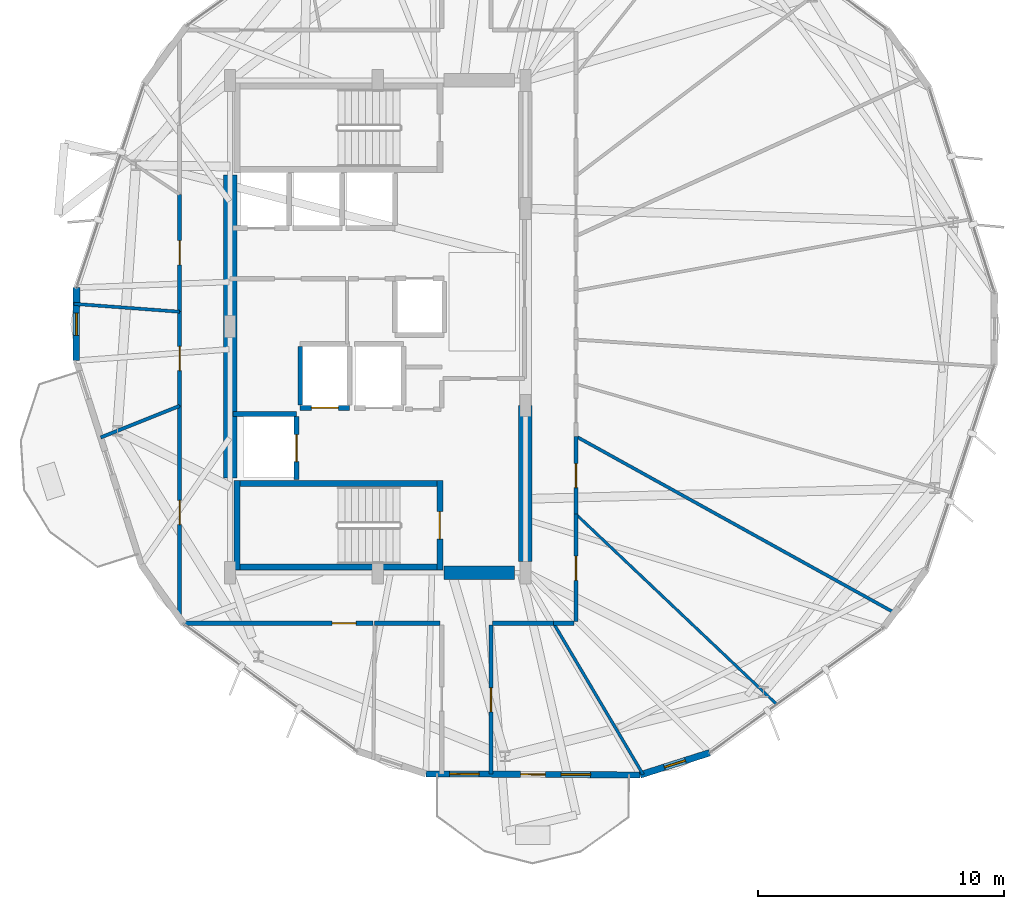
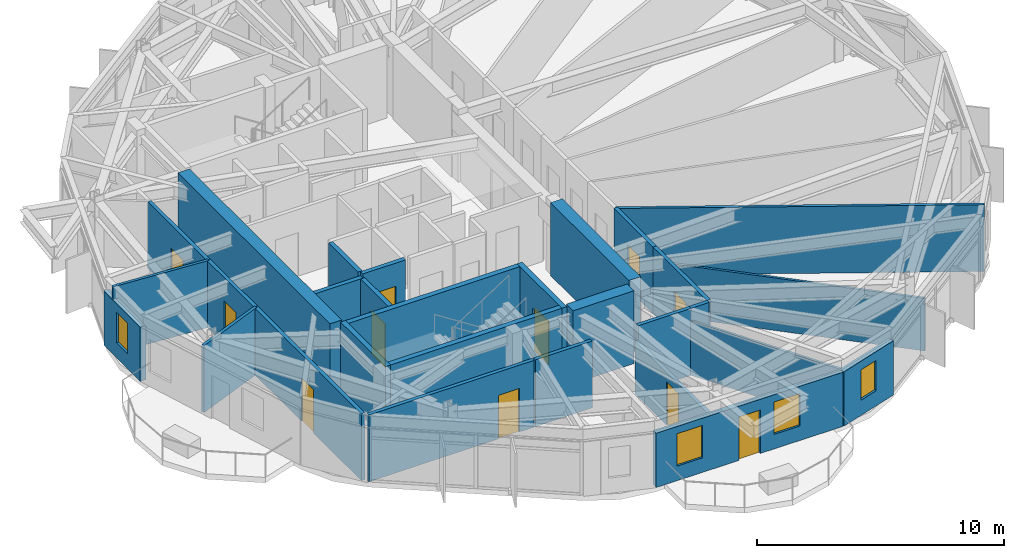
# One storey, part 17 of 24: 29 walls, 11 doors, 4 windows, 15 openings.
"""IFC4 building model written with IfcOpenShell, lengths in metres."""

from ifc_helpers import new_model, si_unit, direction, frame, frame_2d, origin, place, context, subcontext, project, spatial, rectangle, extrude, material, layer, layer_set, type_object, element, fill, save


model = new_model("IFC4")

# Units and contexts
model_context = context("Model", 3, precision=1e-05, world=origin(), true_north=direction((0.0, 1.0)))
body_context = subcontext(model_context, "Body", "Model", "MODEL_VIEW")
ifc_project = project(units=[si_unit("LENGTHUNIT", "METRE"), si_unit("AREAUNIT", "SQUARE_METRE"), si_unit("VOLUMEUNIT", "CUBIC_METRE"), si_unit("PLANEANGLEUNIT", "RADIAN"), si_unit("MASSUNIT", "GRAM", prefix="KILO")], contexts=[model_context])

# Site, building, storey
site_placement = place(None, origin())
site = spatial("IfcSite", under=ifc_project, at=site_placement, CompositionType="ELEMENT")
building_placement = place(site_placement, origin())
building = spatial("IfcBuilding", under=site, at=building_placement, Name="Soratama Intermodal Tower", CompositionType="ELEMENT")
storey_placement = place(building_placement, frame((0.0, 0.0, 164.199951171875)))
storey = spatial("IfcBuildingStorey", under=building, at=storey_placement, Name="L40", CompositionType="ELEMENT", Elevation=164.199951171875)

# Wall, openings, door, windows
ifc_material_1 = material(Name="Concrete f'c 42 MPa", Category="concrete")
ifc_layer_1 = layer(ifc_material_1, 0.25)
ifc_layer_set_1 = layer_set([ifc_layer_1], Name="Concrete f'c 42 MPa")
wall_type_1 = type_object("IfcWallType", Name="EW-BAL-250", PredefinedType="SOLIDWALL", material=ifc_layer_set_1)
wall_1_placement = place(storey_placement, frame((40.553466796875, 6.830810546875, 0.0), z_axis=(0.0, 0.0, 1.0), x_axis=(0.999986386637, -0.005217905737, 0.0)))
wall_1 = element("IfcWall", 1, at=wall_1_placement, inside=storey, type_object=wall_type_1, Name="L40 Terrace Wall F07", PredefinedType="SOLIDWALL", context=body_context, shape_type="SweptSolid", body=[
    extrude(rectangle(XDim=8.70263671875, YDim=0.25, at=frame_2d((4.351318359375, 0.0))), origin(), (0.0, 0.0, 1.0), 2.678955078125),
])
opening_1_placement = place(wall_1_placement, frame((3.851318359375, 0.0, 0.0)))
opening_1 = element("IfcOpeningElement", 2, at=opening_1_placement, cuts=wall_1, Name="Opening ED-2", PredefinedType="OPENING", context=body_context, shape_type="SweptSolid", body=[
    extrude(rectangle(XDim=1.0, YDim=2.14990234375, at=frame_2d((0.5, 1.074951171875))), frame((0.0, 0.135009765625, 0.0), z_axis=(0.0, -1.0, 0.0), x_axis=(1.0, 0.0, 0.0)), (0.0, 0.0, 1.0), 0.27001953125),
])
opening_2_placement = place(wall_1_placement, frame((0.9638671875, 0.0, 0.719970703125)))
opening_2 = element("IfcOpeningElement", 3, at=opening_2_placement, cuts=wall_1, Name="Opening WN-2", PredefinedType="OPENING", context=body_context, shape_type="SweptSolid", body=[
    extrude(rectangle(XDim=1.199951171875, YDim=1.60009765625, at=frame_2d((0.60009765625, 0.800048828125))), frame((0.0, 0.135009765625, 0.0), z_axis=(0.0, -1.0, 0.0), x_axis=(1.0, 0.0, 0.0)), (0.0, 0.0, 1.0), 0.27001953125),
])
opening_3_placement = place(wall_1_placement, frame((5.4912109375, 0.0, 0.719970703125)))
opening_3 = element("IfcOpeningElement", 4, at=opening_3_placement, cuts=wall_1, Name="Opening WN-2", PredefinedType="OPENING", context=body_context, shape_type="SweptSolid", body=[
    extrude(rectangle(XDim=1.199951171875, YDim=1.60009765625, at=frame_2d((0.60009765625, 0.800048828125))), frame((0.0, 0.135009765625, 0.0), z_axis=(0.0, -1.0, 0.0), x_axis=(1.0, 0.0, 0.0)), (0.0, 0.0, 1.0), 0.27001953125),
])
ifc_material_2 = material(Name="Double-glazed aluminium door", Category="aluminium")
door_type_1 = type_object("IfcDoorType", Name="DR-BAL-1000", OperationType="NOTDEFINED", PredefinedType="DOOR", material=ifc_material_2)
door_1_placement = place(opening_1_placement, origin())
door_1 = element("IfcDoor", 5, at=door_1_placement, inside=storey, type_object=door_type_1, Name="L40 Balcony Door F07", OperationType="SINGLE_SWING_LEFT", OverallHeight=2.14990234375, OverallWidth=1.0, PredefinedType="DOOR", context=body_context, shape_type="SweptSolid", body=[
    extrude(rectangle(XDim=1.0, YDim=2.14990234375, at=frame_2d((0.5, 1.074951171875))), frame((0.0, 0.02490234375, 0.0), z_axis=(0.0, -1.0, 0.0), x_axis=(1.0, 0.0, 0.0)), (0.0, 0.0, 1.0), 0.050048828125),
])
fill(opening_1, door_1)
ifc_material_3 = material(Name="Double-glazed aluminium window", Category="aluminium")
window_type_1 = type_object("IfcWindowType", Name="WN-FAC-1200", PartitioningType="SINGLE_PANEL", PredefinedType="WINDOW", material=ifc_material_3)
window_1_placement = place(opening_2_placement, origin())
window_1 = element("IfcWindow", 6, at=window_1_placement, inside=storey, type_object=window_type_1, Name="L40 Window A F07", OverallHeight=1.60009765625, OverallWidth=1.199951171875, PartitioningType="SINGLE_PANEL", PredefinedType="WINDOW", context=body_context, shape_type="SweptSolid", body=[
    extrude(rectangle(XDim=1.199951171875, YDim=1.60009765625, at=frame_2d((0.60009765625, 0.800048828125))), frame((0.0, 0.030029296875, 0.0), z_axis=(0.0, -1.0, 0.0), x_axis=(1.0, 0.0, 0.0)), (0.0, 0.0, 1.0), 0.06005859375),
])
fill(opening_2, window_1)
window_2_placement = place(opening_3_placement, origin())
window_2 = element("IfcWindow", 7, at=window_2_placement, inside=storey, type_object=window_type_1, Name="L40 Window B F07", OverallHeight=1.60009765625, OverallWidth=1.199951171875, PartitioningType="SINGLE_PANEL", PredefinedType="WINDOW", context=body_context, shape_type="SweptSolid", body=[
    extrude(rectangle(XDim=1.199951171875, YDim=1.60009765625, at=frame_2d((0.60009765625, 0.800048828125))), frame((0.0, 0.030029296875, 0.0), z_axis=(0.0, -1.0, 0.0), x_axis=(1.0, 0.0, 0.0)), (0.0, 0.0, 1.0), 0.06005859375),
])
fill(opening_3, window_2)

# Wall, opening, window
ifc_material_4 = material(Name="Concrete f'c 42 MPa", Category="concrete")
ifc_layer_2 = layer(ifc_material_4, 0.27001953125)
ifc_layer_set_2 = layer_set([ifc_layer_2], Name="Concrete f'c 42 MPa")
wall_type_2 = type_object("IfcWallType", Name="EW-CRN-270", PredefinedType="SOLIDWALL", material=ifc_layer_set_2)
wall_2_placement = place(storey_placement, frame((26.36181640625, 26.580810546875, 0.0), z_axis=(0.0, 0.0, 1.0), x_axis=(-0.005267416636, -0.999986127065, 0.0)))
wall_2 = element("IfcWall", 8, at=wall_2_placement, inside=storey, type_object=wall_type_2, Name="L40 Corner Closure Wall 04", PredefinedType="SOLIDWALL", context=body_context, shape_type="SweptSolid", body=[
    extrude(rectangle(XDim=2.96630859375, YDim=0.27001953125, at=frame_2d((1.483154296875, 0.0))), origin(), (0.0, 0.0, 1.0), 2.678955078125),
])
opening_4_placement = place(wall_2_placement, frame((1.033203125, 0.0, 0.75)))
opening_4 = element("IfcOpeningElement", 9, at=opening_4_placement, cuts=wall_2, Name="Opening WN-6", PredefinedType="OPENING", context=body_context, shape_type="SweptSolid", body=[
    extrude(rectangle(XDim=0.89990234375, YDim=1.5, at=frame_2d((0.449951171875, 0.75))), frame((0.0, 0.14501953125, 0.0), z_axis=(0.0, -1.0, 0.0), x_axis=(1.0, 0.0, 0.0)), (0.0, 0.0, 1.0), 0.2900390625),
])
ifc_material_5 = material(Name="Double-glazed aluminium window", Category="aluminium")
window_type_2 = type_object("IfcWindowType", Name="WN-FAC-900", PartitioningType="SINGLE_PANEL", PredefinedType="WINDOW", material=ifc_material_5)
window_3_placement = place(opening_4_placement, origin())
window_3 = element("IfcWindow", 10, at=window_3_placement, inside=storey, type_object=window_type_2, Name="L40 Corner Window 04", OverallHeight=1.5, OverallWidth=0.89990234375, PartitioningType="SINGLE_PANEL", PredefinedType="WINDOW", context=body_context, shape_type="SweptSolid", body=[
    extrude(rectangle(XDim=0.89990234375, YDim=1.5, at=frame_2d((0.449951171875, 0.75))), frame((0.0, 0.030029296875, 0.0), z_axis=(0.0, -1.0, 0.0), x_axis=(1.0, 0.0, 0.0)), (0.0, 0.0, 1.0), 0.06005859375),
])
fill(opening_4, window_3)

wall_3_placement = place(storey_placement, frame((49.256103515625, 6.785400390625, 0.0), z_axis=(0.0, 0.0, 1.0), x_axis=(0.95267036835, 0.304005212568, 0.0)))
wall_3 = element("IfcWall", 11, at=wall_3_placement, inside=storey, type_object=wall_type_2, Name="L40 Corner Closure Wall 07", PredefinedType="SOLIDWALL", context=body_context, shape_type="SweptSolid", body=[
    extrude(rectangle(XDim=2.966552734375, YDim=0.27001953125, at=frame_2d((1.4833984375, 0.0))), origin(), (0.0, 0.0, 1.0), 2.678955078125),
])
opening_5_placement = place(wall_3_placement, frame((1.033203125, 0.0, 0.75)))
opening_5 = element("IfcOpeningElement", 12, at=opening_5_placement, cuts=wall_3, Name="Opening WN-6", PredefinedType="OPENING", context=body_context, shape_type="SweptSolid", body=[
    extrude(rectangle(XDim=0.89990234375, YDim=1.5, at=frame_2d((0.449951171875, 0.75))), frame((0.0, 0.14501953125, 0.0), z_axis=(0.0, -1.0, 0.0), x_axis=(1.0, 0.0, 0.0)), (0.0, 0.0, 1.0), 0.2900390625),
])
window_4_placement = place(opening_5_placement, origin())
window_4 = element("IfcWindow", 13, at=window_4_placement, inside=storey, type_object=window_type_2, Name="L40 Corner Window 07", OverallHeight=1.5, OverallWidth=0.89990234375, PartitioningType="SINGLE_PANEL", PredefinedType="WINDOW", context=body_context, shape_type="SweptSolid", body=[
    extrude(rectangle(XDim=0.89990234375, YDim=1.5, at=frame_2d((0.449951171875, 0.75))), frame((0.0, 0.030029296875, 0.0), z_axis=(0.0, -1.0, 0.0), x_axis=(1.0, 0.0, 0.0)), (0.0, 0.0, 1.0), 0.06005859375),
])
fill(opening_5, window_4)

# Wall, opening, door
ifc_material_6 = material(Name="Fire-rated gypsum stud partition", Category="concrete")
ifc_layer_3 = layer(ifc_material_6, 0.169921875)
ifc_layer_set_3 = layer_set([ifc_layer_3], Name="Fire-rated gypsum stud partition")
wall_type_3 = type_object("IfcWallType", Name="IW-PART-R170", PredefinedType="PARTITIONING", material=ifc_layer_set_3)
wall_4_placement = place(storey_placement, frame((30.550048828125, 13.090087890625, 0.0), z_axis=(0.0, 0.0, 1.0), x_axis=(0.0, 1.0, 0.0)))
wall_4 = element("IfcWall", 14, at=wall_4_placement, inside=storey, type_object=wall_type_3, Name="L40 Partition W-L40-TP009", PredefinedType="PARTITIONING", context=body_context, shape_type="SweptSolid", body=[
    extrude(rectangle(XDim=8.68798828125, YDim=0.169921875, at=frame_2d((4.343994140625, 0.0))), origin(), (0.0, 0.0, 1.0), 3.300048828125),
])
opening_6_placement = place(wall_4_placement, frame((3.868896484375, 0.0, 0.0)))
opening_6 = element("IfcOpeningElement", 15, at=opening_6_placement, cuts=wall_4, Name="Opening ID-5", PredefinedType="OPENING", context=body_context, shape_type="SweptSolid", body=[
    extrude(rectangle(XDim=0.97998046875, YDim=2.14990234375, at=frame_2d((0.489990234375, 1.074951171875))), frame((0.0, 0.094970703125, 0.0), z_axis=(0.0, -1.0, 0.0), x_axis=(1.0, 0.0, 0.0)), (0.0, 0.0, 1.0), 0.18994140625),
])
ifc_material_7 = material(Name="Solid hardwood acoustic door", Category="wood")
door_type_2 = type_object("IfcDoorType", Name="DR-OFF-980", OperationType="NOTDEFINED", PredefinedType="DOOR", material=ifc_material_7)
door_2_placement = place(opening_6_placement, origin())
door_2 = element("IfcDoor", 16, at=door_2_placement, inside=storey, type_object=door_type_2, Name="L40 Door D-L40-TP001", OperationType="SINGLE_SWING_RIGHT", OverallHeight=2.14990234375, OverallWidth=0.97998046875, PredefinedType="DOOR", context=body_context, shape_type="SweptSolid", body=[
    extrude(rectangle(XDim=0.97998046875, YDim=2.14990234375, at=frame_2d((0.489990234375, 1.074951171875))), frame((0.0, 0.02490234375, 0.0), z_axis=(0.0, -1.0, 0.0), x_axis=(1.0, 0.0, 0.0)), (0.0, 0.0, 1.0), 0.050048828125),
])
fill(opening_6, door_2)

wall_5_placement = place(storey_placement, frame((38.405029296875, 12.949951171875, 0.0), z_axis=(0.0, 0.0, 1.0), x_axis=(-1.0, 0.0, 0.0)))
wall_5 = element("IfcWall", 17, at=wall_5_placement, inside=storey, type_object=wall_type_3, Name="L40 Partition W-L40-TP010", PredefinedType="PARTITIONING", context=body_context, shape_type="SweptSolid", body=[
    extrude(rectangle(XDim=7.717041015625, YDim=0.169921875, at=frame_2d((3.8583984375, 0.0))), origin(), (0.0, 0.0, 1.0), 3.300048828125),
])
opening_7_placement = place(wall_5_placement, frame((0.68310546875, 0.0, 0.0)))
opening_7 = element("IfcOpeningElement", 18, at=opening_7_placement, cuts=wall_5, Name="Opening ID-5", PredefinedType="OPENING", context=body_context, shape_type="SweptSolid", body=[
    extrude(rectangle(XDim=0.97998046875, YDim=2.14990234375, at=frame_2d((0.489990234375, 1.074951171875))), frame((0.0, 0.094970703125, 0.0), z_axis=(0.0, -1.0, 0.0), x_axis=(1.0, 0.0, 0.0)), (0.0, 0.0, 1.0), 0.18994140625),
])
door_3_placement = place(opening_7_placement, origin())
door_3 = element("IfcDoor", 19, at=door_3_placement, inside=storey, type_object=door_type_2, Name="L40 Door D-L40-TP002", OperationType="SINGLE_SWING_LEFT", OverallHeight=2.14990234375, OverallWidth=0.97998046875, PredefinedType="DOOR", context=body_context, shape_type="SweptSolid", body=[
    extrude(rectangle(XDim=0.97998046875, YDim=2.14990234375, at=frame_2d((0.489990234375, 1.074951171875))), frame((0.0, 0.02490234375, 0.0), z_axis=(0.0, -1.0, 0.0), x_axis=(1.0, 0.0, 0.0)), (0.0, 0.0, 1.0), 0.050048828125),
])
fill(opening_7, door_3)

wall_6_placement = place(storey_placement, frame((43.199951171875, 12.8798828125, 0.0), z_axis=(0.0, 0.0, 1.0), x_axis=(0.0, -1.0, 0.0)))
wall_6 = element("IfcWall", 20, at=wall_6_placement, inside=storey, type_object=wall_type_3, Name="L40 Partition W-L40-TP017", PredefinedType="PARTITIONING", context=body_context, shape_type="SweptSolid", body=[
    extrude(rectangle(XDim=6.06298828125, YDim=0.169921875, at=frame_2d((3.031494140625, 0.0))), origin(), (0.0, 0.0, 1.0), 2.594970703125),
])
opening_8_placement = place(wall_6_placement, frame((2.556884765625, 0.0, 0.0)))
opening_8 = element("IfcOpeningElement", 21, at=opening_8_placement, cuts=wall_6, Name="Opening ID-5", PredefinedType="OPENING", context=body_context, shape_type="SweptSolid", body=[
    extrude(rectangle(XDim=0.97998046875, YDim=2.14990234375, at=frame_2d((0.489990234375, 1.074951171875))), frame((0.0, 0.094970703125, 0.0), z_axis=(0.0, -1.0, 0.0), x_axis=(1.0, 0.0, 0.0)), (0.0, 0.0, 1.0), 0.18994140625),
])
door_4_placement = place(opening_8_placement, origin())
door_4 = element("IfcDoor", 22, at=door_4_placement, inside=storey, type_object=door_type_2, Name="L40 Door D-L40-TP007", OperationType="SINGLE_SWING_RIGHT", OverallHeight=2.14990234375, OverallWidth=0.97998046875, PredefinedType="DOOR", context=body_context, shape_type="SweptSolid", body=[
    extrude(rectangle(XDim=0.97998046875, YDim=2.14990234375, at=frame_2d((0.489990234375, 1.074951171875))), frame((0.0, 0.02490234375, 0.0), z_axis=(0.0, -1.0, 0.0), x_axis=(1.0, 0.0, 0.0)), (0.0, 0.0, 1.0), 0.050048828125),
])
fill(opening_8, door_4)

wall_7_placement = place(storey_placement, frame((30.550048828125, 25.60302734375, 0.0), z_axis=(0.0, 0.0, 1.0), x_axis=(0.0, 1.0, 0.0)))
wall_7 = element("IfcWall", 23, at=wall_7_placement, inside=storey, type_object=wall_type_3, Name="L40 Partition W-L40-TP022", PredefinedType="PARTITIONING", context=body_context, shape_type="SweptSolid", body=[
    extrude(rectangle(XDim=4.76708984375, YDim=0.169921875, at=frame_2d((2.383544921875, 0.0))), origin(), (0.0, 0.0, 1.0), 3.300048828125),
])
opening_9_placement = place(wall_7_placement, frame((1.907958984375, 0.0, 0.0)))
opening_9 = element("IfcOpeningElement", 24, at=opening_9_placement, cuts=wall_7, Name="Opening ID-5", PredefinedType="OPENING", context=body_context, shape_type="SweptSolid", body=[
    extrude(rectangle(XDim=0.97998046875, YDim=2.14990234375, at=frame_2d((0.489990234375, 1.074951171875))), frame((0.0, 0.094970703125, 0.0), z_axis=(0.0, -1.0, 0.0), x_axis=(1.0, 0.0, 0.0)), (0.0, 0.0, 1.0), 0.18994140625),
])
door_5_placement = place(opening_9_placement, origin())
door_5 = element("IfcDoor", 25, at=door_5_placement, inside=storey, type_object=door_type_2, Name="L40 Door D-L40-TP010", OperationType="SINGLE_SWING_LEFT", OverallHeight=2.14990234375, OverallWidth=0.97998046875, PredefinedType="DOOR", context=body_context, shape_type="SweptSolid", body=[
    extrude(rectangle(XDim=0.97998046875, YDim=2.14990234375, at=frame_2d((0.489990234375, 1.074951171875))), frame((0.0, 0.02490234375, 0.0), z_axis=(0.0, -1.0, 0.0), x_axis=(1.0, 0.0, 0.0)), (0.0, 0.0, 1.0), 0.050048828125),
])
fill(opening_9, door_5)

wall_8_placement = place(storey_placement, frame((46.64990234375, 17.3779296875, 0.0), z_axis=(0.0, 0.0, 1.0), x_axis=(0.0, -1.0, 0.0)))
wall_8 = element("IfcWall", 26, at=wall_8_placement, inside=storey, type_object=wall_type_3, Name="L40 Partition W-L40-TP024", PredefinedType="PARTITIONING", context=body_context, shape_type="SweptSolid", body=[
    extrude(rectangle(XDim=4.35791015625, YDim=0.169921875, at=frame_2d((2.178955078125, 0.0))), origin(), (0.0, 0.0, 1.0), 3.300048828125),
])
opening_10_placement = place(wall_8_placement, frame((1.7041015625, 0.0, 0.0)))
opening_10 = element("IfcOpeningElement", 27, at=opening_10_placement, cuts=wall_8, Name="Opening ID-5", PredefinedType="OPENING", context=body_context, shape_type="SweptSolid", body=[
    extrude(rectangle(XDim=0.97998046875, YDim=2.14990234375, at=frame_2d((0.489990234375, 1.074951171875))), frame((0.0, 0.094970703125, 0.0), z_axis=(0.0, -1.0, 0.0), x_axis=(1.0, 0.0, 0.0)), (0.0, 0.0, 1.0), 0.18994140625),
])
door_6_placement = place(opening_10_placement, origin())
door_6 = element("IfcDoor", 28, at=door_6_placement, inside=storey, type_object=door_type_2, Name="L40 Door D-L40-TP012", OperationType="SINGLE_SWING_LEFT", OverallHeight=2.14990234375, OverallWidth=0.97998046875, PredefinedType="DOOR", context=body_context, shape_type="SweptSolid", body=[
    extrude(rectangle(XDim=0.97998046875, YDim=2.14990234375, at=frame_2d((0.489990234375, 1.074951171875))), frame((0.0, 0.02490234375, 0.0), z_axis=(0.0, -1.0, 0.0), x_axis=(1.0, 0.0, 0.0)), (0.0, 0.0, 1.0), 0.050048828125),
])
fill(opening_10, door_6)

wall_9_placement = place(storey_placement, frame((30.550048828125, 21.778076171875, 0.0), z_axis=(0.0, 0.0, 1.0), x_axis=(0.0, 1.0, 0.0)))
wall_9 = element("IfcWall", 29, at=wall_9_placement, inside=storey, type_object=wall_type_3, Name="L40 Partition W-L40-TP027", PredefinedType="PARTITIONING", context=body_context, shape_type="SweptSolid", body=[
    extrude(rectangle(XDim=3.824951171875, YDim=0.169921875, at=frame_2d((1.91259765625, 0.0))), origin(), (0.0, 0.0, 1.0), 3.300048828125),
])
opening_11_placement = place(wall_9_placement, frame((1.43798828125, 0.0, 0.0)))
opening_11 = element("IfcOpeningElement", 30, at=opening_11_placement, cuts=wall_9, Name="Opening ID-5", PredefinedType="OPENING", context=body_context, shape_type="SweptSolid", body=[
    extrude(rectangle(XDim=0.97998046875, YDim=2.14990234375, at=frame_2d((0.489990234375, 1.074951171875))), frame((0.0, 0.094970703125, 0.0), z_axis=(0.0, -1.0, 0.0), x_axis=(1.0, 0.0, 0.0)), (0.0, 0.0, 1.0), 0.18994140625),
])
door_7_placement = place(opening_11_placement, origin())
door_7 = element("IfcDoor", 31, at=door_7_placement, inside=storey, type_object=door_type_2, Name="L40 Door D-L40-TP014", OperationType="SINGLE_SWING_LEFT", OverallHeight=2.14990234375, OverallWidth=0.97998046875, PredefinedType="DOOR", context=body_context, shape_type="SweptSolid", body=[
    extrude(rectangle(XDim=0.97998046875, YDim=2.14990234375, at=frame_2d((0.489990234375, 1.074951171875))), frame((0.0, 0.02490234375, 0.0), z_axis=(0.0, -1.0, 0.0), x_axis=(1.0, 0.0, 0.0)), (0.0, 0.0, 1.0), 0.050048828125),
])
fill(opening_11, door_7)

wall_10_placement = place(storey_placement, frame((46.64990234375, 20.5419921875, 0.0), z_axis=(0.0, 0.0, 1.0), x_axis=(0.0, -1.0, 0.0)))
wall_10 = element("IfcWall", 32, at=wall_10_placement, inside=storey, type_object=wall_type_3, Name="L40 Partition W-L40-TP031", PredefinedType="PARTITIONING", context=body_context, shape_type="SweptSolid", body=[
    extrude(rectangle(XDim=3.1640625, YDim=0.169921875, at=frame_2d((1.58203125, 0.0))), origin(), (0.0, 0.0, 1.0), 3.300048828125),
])
opening_12_placement = place(wall_10_placement, frame((1.10693359375, 0.0, 0.0)))
opening_12 = element("IfcOpeningElement", 33, at=opening_12_placement, cuts=wall_10, Name="Opening ID-5", PredefinedType="OPENING", context=body_context, shape_type="SweptSolid", body=[
    extrude(rectangle(XDim=0.97998046875, YDim=2.14990234375, at=frame_2d((0.489990234375, 1.074951171875))), frame((0.0, 0.094970703125, 0.0), z_axis=(0.0, -1.0, 0.0), x_axis=(1.0, 0.0, 0.0)), (0.0, 0.0, 1.0), 0.18994140625),
])
door_8_placement = place(opening_12_placement, origin())
door_8 = element("IfcDoor", 34, at=door_8_placement, inside=storey, type_object=door_type_2, Name="L40 Door D-L40-TP016", OperationType="SINGLE_SWING_LEFT", OverallHeight=2.14990234375, OverallWidth=0.97998046875, PredefinedType="DOOR", context=body_context, shape_type="SweptSolid", body=[
    extrude(rectangle(XDim=0.97998046875, YDim=2.14990234375, at=frame_2d((0.489990234375, 1.074951171875))), frame((0.0, 0.02490234375, 0.0), z_axis=(0.0, -1.0, 0.0), x_axis=(1.0, 0.0, 0.0)), (0.0, 0.0, 1.0), 0.050048828125),
])
fill(opening_12, door_8)

# Walls
wall_11_placement = place(storey_placement, frame((41.1298828125, 12.949951171875, 0.0), z_axis=(0.0, 0.0, 1.0), x_axis=(-1.0, 0.0, 0.0)))
element("IfcWall", 35, at=wall_11_placement, inside=storey, type_object=wall_type_3, Name="L40 Partition W-L40-TP034", PredefinedType="PARTITIONING", context=body_context, shape_type="SweptSolid", body=[
    extrude(rectangle(XDim=2.65380859375, YDim=0.169921875, at=frame_2d((1.326904296875, 0.0))), origin(), (0.0, 0.0, 1.0), 3.300048828125),
])
wall_12_placement = place(storey_placement, frame((45.738037109375, 12.949951171875, 0.0), z_axis=(0.0, 0.0, 1.0), x_axis=(-1.0, 0.0, 0.0)))
element("IfcWall", 36, at=wall_12_placement, inside=storey, type_object=wall_type_3, Name="L40 Partition W-L40-TP036", PredefinedType="PARTITIONING", context=body_context, shape_type="SweptSolid", body=[
    extrude(rectangle(XDim=2.468017578125, YDim=0.169921875, at=frame_2d((1.23388671875, 0.0))), origin(), (0.0, 0.0, 1.0), 3.300048828125),
])
wall_13_placement = place(storey_placement, frame((46.580078125, 12.949951171875, 0.0), z_axis=(0.0, 0.0, 1.0), x_axis=(-1.0, 0.0, 0.0)))
element("IfcWall", 37, at=wall_13_placement, inside=storey, type_object=wall_type_3, Name="L40 Partition W-L40-TP046", PredefinedType="PARTITIONING", context=body_context, shape_type="SweptSolid", body=[
    extrude(rectangle(XDim=0.842041015625, YDim=0.169921875, at=frame_2d((0.4208984375, 0.0))), origin(), (0.0, 0.0, 1.0), 3.300048828125),
])
ifc_material_8 = material(Name="Fire-rated gypsum stud partition", Category="concrete")
ifc_layer_4 = layer(ifc_material_8, 0.110107421875)
ifc_layer_set_4 = layer_set([ifc_layer_4], Name="Fire-rated gypsum stud partition")
wall_type_4 = type_object("IfcWallType", Name="IW-PART-S110", PredefinedType="PARTITIONING", material=ifc_layer_set_4)
wall_14_placement = place(storey_placement, frame((46.64990234375, 17.3779296875, 0.0), z_axis=(0.0, 0.0, 1.0), x_axis=(0.726109041818, -0.687579565861, 0.0)))
element("IfcWall", 38, at=wall_14_placement, inside=storey, type_object=wall_type_4, Name="L40 Partition W-L40-TP007", PredefinedType="PARTITIONING", context=body_context, shape_type="SweptSolid", body=[
    extrude(rectangle(XDim=11.240966796875, YDim=0.110107421875, at=frame_2d((5.62060546875, 0.0))), origin(), (0.0, 0.0, 1.0), 2.594970703125),
])
ifc_material_9 = material(Name="Fire-rated gypsum stud partition", Category="concrete")
ifc_layer_5 = layer(ifc_material_9, 0.1201171875)
ifc_layer_set_5 = layer_set([ifc_layer_5], Name="Fire-rated gypsum stud partition")
wall_type_5 = type_object("IfcWallType", Name="IW-PART-S120", PredefinedType="PARTITIONING", material=ifc_layer_set_5)
wall_15_placement = place(storey_placement, frame((45.738037109375, 12.949951171875, 0.0), z_axis=(0.0, 0.0, 1.0), x_axis=(0.509677787301, -0.860365360258, 0.0)))
element("IfcWall", 39, at=wall_15_placement, inside=storey, type_object=wall_type_5, Name="L40 Partition W-L40-TP011", PredefinedType="PARTITIONING", context=body_context, shape_type="SweptSolid", body=[
    extrude(rectangle(XDim=7.1435546875, YDim=0.1201171875, at=frame_2d((3.57177734375, 0.0))), origin(), (0.0, 0.0, 1.0), 2.677978515625),
])
ifc_material_10 = material(Name="Fire-rated gypsum stud partition", Category="concrete")
ifc_layer_6 = layer(ifc_material_10, 0.1298828125)
ifc_layer_set_6 = layer_set([ifc_layer_6], Name="Fire-rated gypsum stud partition")
wall_type_6 = type_object("IfcWallType", Name="IW-PART-S130", PredefinedType="PARTITIONING", material=ifc_layer_set_6)
wall_16_placement = place(storey_placement, frame((46.64990234375, 20.5419921875, 0.0), z_axis=(0.0, 0.0, 1.0), x_axis=(0.874785594424, -0.484510230839, 0.0)))
element("IfcWall", 40, at=wall_16_placement, inside=storey, type_object=wall_type_6, Name="L40 Partition W-L40-TP005", PredefinedType="PARTITIONING", context=body_context, shape_type="SweptSolid", body=[
    extrude(rectangle(XDim=14.920166015625, YDim=0.1298828125, at=frame_2d((7.4599609375, 0.0))), origin(), (0.0, 0.0, 1.0), 3.300048828125),
])
wall_17_placement = place(storey_placement, frame((30.550048828125, 25.60302734375, 0.0), z_axis=(0.0, 0.0, 1.0), x_axis=(-0.997202584387, 0.074746275434, 0.0)))
element("IfcWall", 41, at=wall_17_placement, inside=storey, type_object=wall_type_6, Name="L40 Partition W-L40-TP025", PredefinedType="PARTITIONING", context=body_context, shape_type="SweptSolid", body=[
    extrude(rectangle(XDim=4.30810546875, YDim=0.1298828125, at=frame_2d((2.154052734375, 0.0))), origin(), (0.0, 0.0, 1.0), 3.300048828125),
])
ifc_material_11 = material(Name="Fire-rated gypsum stud partition", Category="concrete")
ifc_layer_7 = layer(ifc_material_11, 0.139892578125)
ifc_layer_set_7 = layer_set([ifc_layer_7], Name="Fire-rated gypsum stud partition")
wall_type_7 = type_object("IfcWallType", Name="IW-PART-S140", PredefinedType="PARTITIONING", material=ifc_layer_set_7)
wall_18_placement = place(storey_placement, frame((30.550048828125, 21.778076171875, 0.0), z_axis=(0.0, 0.0, 1.0), x_axis=(-0.928501055156, -0.371329759882, 0.0)))
element("IfcWall", 42, at=wall_18_placement, inside=storey, type_object=wall_type_7, Name="L40 Partition W-L40-TP029", PredefinedType="PARTITIONING", context=body_context, shape_type="SweptSolid", body=[
    extrude(rectangle(XDim=3.455078125, YDim=0.139892578125, at=frame_2d((1.7275390625, 0.0))), origin(), (0.0, 0.0, 1.0), 3.300048828125),
])

# Wall, opening, door
ifc_material_12 = material(Name="Concrete f'c 42 MPa", Category="concrete")
ifc_layer_8 = layer(ifc_material_12, 0.199951171875)
ifc_layer_set_8 = layer_set([ifc_layer_8], Name="Concrete f'c 42 MPa")
wall_type_8 = type_object("IfcWallType", Name="IW-SHAFT-200", PredefinedType="SOLIDWALL", material=ifc_layer_set_8)
wall_19_placement = place(storey_placement, frame((35.449951171875, 21.699951171875, 0.0), z_axis=(0.0, 0.0, 1.0), x_axis=(1.0, 0.0, 0.0)))
wall_19 = element("IfcWall", 43, at=wall_19_placement, inside=storey, type_object=wall_type_8, Name="L40 FFL-1 Hoistway Wall S", PredefinedType="SOLIDWALL", context=body_context, shape_type="SweptSolid", body=[
    extrude(rectangle(XDim=2.0, YDim=0.199951171875, at=frame_2d((1.0, 0.0))), origin(), (0.0, 0.0, 1.0), 3.300048828125),
])
opening_13_placement = place(wall_19_placement, frame((0.449951171875, 0.0, 0.0)))
opening_13 = element("IfcOpeningElement", 44, at=opening_13_placement, cuts=wall_19, Name="Opening LD-1", PredefinedType="OPENING", context=body_context, shape_type="SweptSolid", body=[
    extrude(rectangle(XDim=1.10009765625, YDim=2.14990234375, at=frame_2d((0.550048828125, 1.074951171875))), frame((0.0, 0.10986328125, 0.0), z_axis=(0.0, -1.0, 0.0), x_axis=(1.0, 0.0, 0.0)), (0.0, 0.0, 1.0), 0.219970703125),
])
ifc_material_13 = material(Name="Steel fire door", Category="steel")
door_type_3 = type_object("IfcDoorType", Name="DR-LIFT-SLIDE", OperationType="NOTDEFINED", PredefinedType="DOOR", material=ifc_material_13)
door_9_placement = place(opening_13_placement, origin())
door_9 = element("IfcDoor", 45, at=door_9_placement, inside=storey, type_object=door_type_3, Name="L40 FFL-1 Sliding Landing Door", OperationType="SLIDING_TO_LEFT", OverallHeight=2.14990234375, OverallWidth=1.10009765625, PredefinedType="DOOR", context=body_context, shape_type="SweptSolid", body=[
    extrude(rectangle(XDim=1.10009765625, YDim=2.14990234375, at=frame_2d((0.550048828125, 1.074951171875))), frame((0.0, 0.02490234375, 0.0), z_axis=(0.0, -1.0, 0.0), x_axis=(1.0, 0.0, 0.0)), (0.0, 0.0, 1.0), 0.050048828125),
])
fill(opening_13, door_9)

# Walls
wall_20_placement = place(storey_placement, frame((35.449951171875, 21.81005859375, 0.0), z_axis=(0.0, 0.0, 1.0), x_axis=(0.0, 1.0, 0.0)))
element("IfcWall", 46, at=wall_20_placement, inside=storey, type_object=wall_type_8, Name="L40 FFL-1 Hoistway Wall W", PredefinedType="SOLIDWALL", context=body_context, shape_type="SweptSolid", body=[
    extrude(rectangle(XDim=2.3798828125, YDim=0.199951171875, at=frame_2d((1.18994140625, 0.0))), origin(), (0.0, 0.0, 1.0), 3.300048828125),
])
wall_21_placement = place(storey_placement, frame((32.719970703125, 21.449951171875, 0.0), z_axis=(0.0, 0.0, 1.0), x_axis=(1.0, 0.0, 0.0)))
element("IfcWall", 47, at=wall_21_placement, inside=storey, type_object=wall_type_8, Name="L40 SVL-1 Hoistway Wall N", PredefinedType="SOLIDWALL", context=body_context, shape_type="SweptSolid", body=[
    extrude(rectangle(XDim=2.580078125, YDim=0.199951171875, at=frame_2d((1.2900390625, 0.0))), origin(), (0.0, 0.0, 1.0), 3.300048828125),
])

# Wall, opening, door
wall_22_placement = place(storey_placement, frame((35.300048828125, 18.7900390625, 0.0), z_axis=(0.0, 0.0, 1.0), x_axis=(0.0, 1.0, 0.0)))
wall_22 = element("IfcWall", 48, at=wall_22_placement, inside=storey, type_object=wall_type_8, Name="L40 SVL-1 Hoistway Wall E", PredefinedType="SOLIDWALL", context=body_context, shape_type="SweptSolid", body=[
    extrude(rectangle(XDim=2.550048828125, YDim=0.199951171875, at=frame_2d((1.27490234375, 0.0))), origin(), (0.0, 0.0, 1.0), 3.300048828125),
])
opening_14_placement = place(wall_22_placement, frame((0.72509765625, 0.0, 0.0)))
opening_14 = element("IfcOpeningElement", 49, at=opening_14_placement, cuts=wall_22, Name="Opening LD-1", PredefinedType="OPENING", context=body_context, shape_type="SweptSolid", body=[
    extrude(rectangle(XDim=1.10009765625, YDim=2.14990234375, at=frame_2d((0.550048828125, 1.074951171875))), frame((0.0, 0.10986328125, 0.0), z_axis=(0.0, -1.0, 0.0), x_axis=(1.0, 0.0, 0.0)), (0.0, 0.0, 1.0), 0.219970703125),
])
door_10_placement = place(opening_14_placement, origin())
door_10 = element("IfcDoor", 50, at=door_10_placement, inside=storey, type_object=door_type_3, Name="L40 SVL-1 Sliding Landing Door", OperationType="SLIDING_TO_LEFT", OverallHeight=2.14990234375, OverallWidth=1.10009765625, PredefinedType="DOOR", context=body_context, shape_type="SweptSolid", body=[
    extrude(rectangle(XDim=1.10009765625, YDim=2.14990234375, at=frame_2d((0.550048828125, 1.074951171875))), frame((0.0, 0.02490234375, 0.0), z_axis=(0.0, -1.0, 0.0), x_axis=(1.0, 0.0, 0.0)), (0.0, 0.0, 1.0), 0.050048828125),
])
fill(opening_14, door_10)

# Walls
ifc_material_14 = material(Name="Concrete f'c 56 MPa", Category="concrete")
ifc_layer_9 = layer(ifc_material_14, 0.550048828125)
ifc_layer_set_9 = layer_set([ifc_layer_9], Name="Concrete f'c 56 MPa")
wall_type_9 = type_object("IfcWallType", Name="SW-CORE-550", PredefinedType="SHEAR", material=ifc_layer_set_9)
wall_23_placement = place(storey_placement, frame((32.60009765625, 18.85009765625, 0.0), z_axis=(0.0, 0.0, 1.0), x_axis=(0.0, 1.0, 0.0)))
element("IfcWall", 51, at=wall_23_placement, inside=storey, type_object=wall_type_9, Name="L40 Core Shear Wall CW-WMID", PredefinedType="SHEAR", context=body_context, shape_type="SweptSolid", body=[
    extrude(rectangle(XDim=12.2998046875, YDim=0.550048828125, at=frame_2d((6.14990234375, 0.0))), origin(), (0.0, 0.0, 1.0), 3.60009765625),
])
wall_24_placement = place(storey_placement, frame((41.300048828125, 15.0, 0.0), z_axis=(0.0, 0.0, 1.0), x_axis=(1.0, 0.0, 0.0)))
element("IfcWall", 52, at=wall_24_placement, inside=storey, type_object=wall_type_9, Name="L40 Core Shear Wall CW-SE", PredefinedType="SHEAR", context=body_context, shape_type="SweptSolid", body=[
    extrude(rectangle(XDim=2.849853515625, YDim=0.550048828125, at=frame_2d((1.4248046875, 0.0))), origin(), (0.0, 0.0, 1.0), 3.60009765625),
])
wall_25_placement = place(storey_placement, frame((44.60009765625, 15.449951171875, 0.0), z_axis=(0.0, 0.0, 1.0), x_axis=(0.0, 1.0, 0.0)))
element("IfcWall", 53, at=wall_25_placement, inside=storey, type_object=wall_type_9, Name="L40 Core Shear Wall CW-ES", PredefinedType="SHEAR", context=body_context, shape_type="SweptSolid", body=[
    extrude(rectangle(XDim=6.35009765625, YDim=0.550048828125, at=frame_2d((3.175048828125, 0.0))), origin(), (0.0, 0.0, 1.0), 3.60009765625),
])
ifc_material_15 = material(Name="Concrete f'c 56 MPa", Category="concrete")
ifc_layer_10 = layer(ifc_material_15, 0.239990234375)
ifc_layer_set_10 = layer_set([ifc_layer_10], Name="Concrete f'c 56 MPa")
wall_type_10 = type_object("IfcWallType", Name="SW-STAIR-240", PredefinedType="SHEAR", material=ifc_layer_set_10)
wall_26_placement = place(storey_placement, frame((32.8798828125, 15.110107421875, 0.0), z_axis=(0.0, 0.0, 1.0), x_axis=(0.0, 1.0, 0.0)))
element("IfcWall", 54, at=wall_26_placement, inside=storey, type_object=wall_type_10, Name="L40 ST-1 Shaft Shear Wall W", PredefinedType="SHEAR", context=body_context, shape_type="SweptSolid", body=[
    extrude(rectangle(XDim=3.6298828125, YDim=0.239990234375, at=frame_2d((1.81494140625, 0.0))), origin(), (0.0, 0.0, 1.0), 3.60009765625),
])

# Wall, opening, door
wall_27_placement = place(storey_placement, frame((41.1201171875, 15.110107421875, 0.0), z_axis=(0.0, 0.0, 1.0), x_axis=(0.0, 1.0, 0.0)))
wall_27 = element("IfcWall", 55, at=wall_27_placement, inside=storey, type_object=wall_type_10, Name="L40 ST-1 Shaft Shear Wall E", PredefinedType="SHEAR", context=body_context, shape_type="SweptSolid", body=[
    extrude(rectangle(XDim=3.6298828125, YDim=0.239990234375, at=frame_2d((1.81494140625, 0.0))), origin(), (0.0, 0.0, 1.0), 3.60009765625),
])
opening_15_placement = place(wall_27_placement, frame((1.2548828125, 0.0, 0.0)))
opening_15 = element("IfcOpeningElement", 56, at=opening_15_placement, cuts=wall_27, Name="Opening SD-1", PredefinedType="OPENING", context=body_context, shape_type="SweptSolid", body=[
    extrude(rectangle(XDim=1.1201171875, YDim=2.14990234375, at=frame_2d((0.56005859375, 1.074951171875))), frame((0.0, 0.1298828125, 0.0), z_axis=(0.0, -1.0, 0.0), x_axis=(1.0, 0.0, 0.0)), (0.0, 0.0, 1.0), 0.260009765625),
])
ifc_material_16 = material(Name="Steel fire door", Category="steel")
door_type_4 = type_object("IfcDoorType", Name="DR-STAIR-FD90", OperationType="NOTDEFINED", PredefinedType="DOOR", material=ifc_material_16)
door_11_placement = place(opening_15_placement, origin())
door_11 = element("IfcDoor", 57, at=door_11_placement, inside=storey, type_object=door_type_4, Name="L40 ST-1 Exit Stair Door", OperationType="SINGLE_SWING_LEFT", OverallHeight=2.14990234375, OverallWidth=1.1201171875, PredefinedType="DOOR", context=body_context, shape_type="SweptSolid", body=[
    extrude(rectangle(XDim=1.1201171875, YDim=2.14990234375, at=frame_2d((0.56005859375, 1.074951171875))), frame((0.0, 0.02490234375, 0.0), z_axis=(0.0, -1.0, 0.0), x_axis=(1.0, 0.0, 0.0)), (0.0, 0.0, 1.0), 0.050048828125),
])
fill(opening_15, door_11)

# Walls
for number, where, z_axis, x_axis, name in (
    (58, (33.0, 15.22998046875, 0.0), (0.0, 0.0, 1.0), (1.0, 0.0, 0.0), "L40 ST-1 Shaft Shear Wall S"),
    (59, (33.0, 18.6201171875, 0.0), (0.0, 0.0, 1.0), (1.0, 0.0, 0.0), "L40 ST-1 Shaft Shear Wall N"),
):
    element("IfcWall", number, at=place(storey_placement, frame(where, z_axis=z_axis, x_axis=x_axis)), inside=storey, type_object=wall_type_10, Name=name, PredefinedType="SHEAR", context=body_context, shape_type="SweptSolid", body=[
        extrude(rectangle(XDim=8.0, YDim=0.239990234375, at=frame_2d((4.0, 0.0))), origin(), (0.0, 0.0, 1.0), 3.60009765625),
    ])

save(model, "model.ifc")
